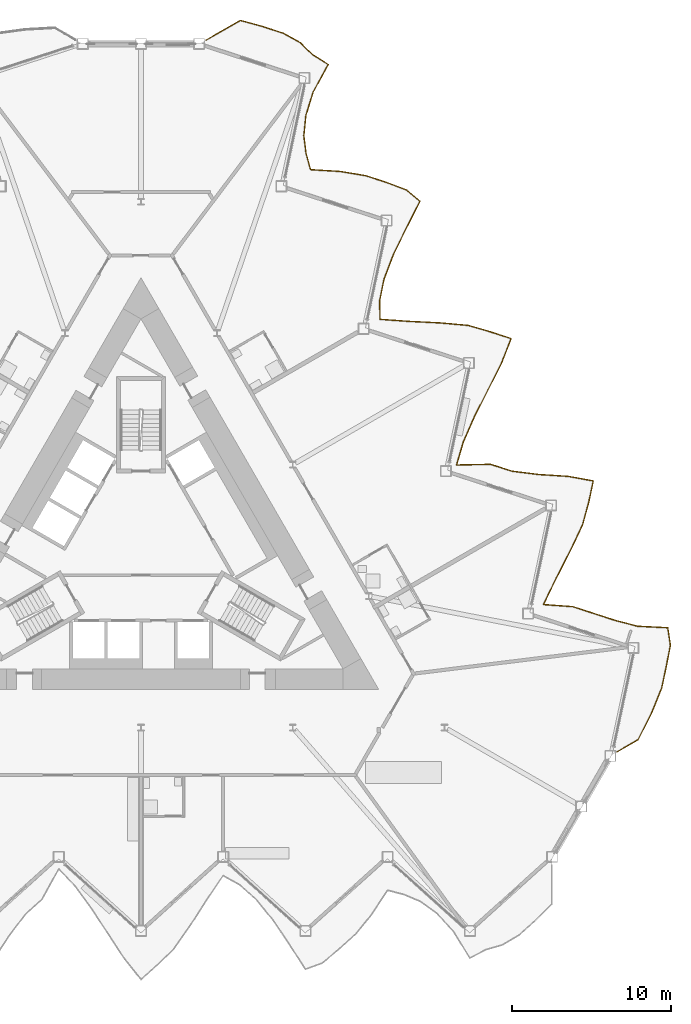
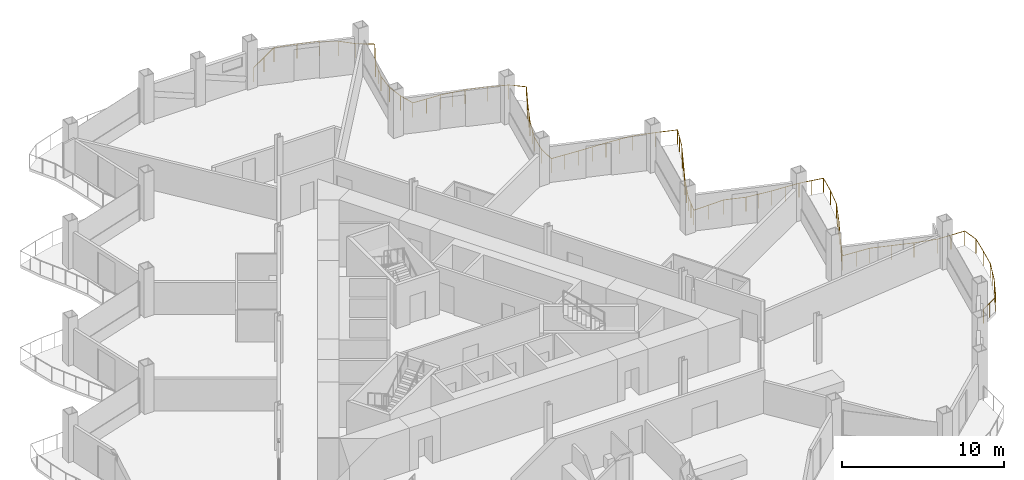
# One storey, part 22 of 24: 1 railing.
"""IFC4 building model written with IfcOpenShell, lengths in metres."""

from ifc_helpers import new_model, si_unit, direction, frame, origin, origin_2d, place, context, subcontext, project, spatial, circle, extrude, material, type_object, element, save


model = new_model("IFC4")

# Units and contexts
model_context = context("Model", 3, precision=1e-05, world=origin(), true_north=direction((0.0, 1.0)))
body_context = subcontext(model_context, "Body", "Model", "MODEL_VIEW")
ifc_project = project(units=[si_unit("LENGTHUNIT", "METRE"), si_unit("AREAUNIT", "SQUARE_METRE"), si_unit("VOLUMEUNIT", "CUBIC_METRE"), si_unit("PLANEANGLEUNIT", "RADIAN"), si_unit("MASSUNIT", "GRAM", prefix="KILO")], contexts=[model_context])

# Site, building, storey
site_placement = place(None, origin())
site = spatial("IfcSite", under=ifc_project, at=site_placement, CompositionType="ELEMENT")
building_placement = place(site_placement, origin())
building = spatial("IfcBuilding", under=site, at=building_placement, Name="Cormorant Prow Tower", CompositionType="ELEMENT")
storey_placement = place(building_placement, frame((0.0, 0.0, 270.60009765625)))
storey = spatial("IfcBuildingStorey", under=building, at=storey_placement, Name="L61", CompositionType="ELEMENT", Elevation=270.60009765625)

# Railing
ifc_material = material(Name="Aluminium 6063-T6", Category="aluminium")
railing_type = type_object("IfcRailingType", Name="Balcony guard 1100", PredefinedType="GUARDRAIL", material=ifc_material)
railing_placement = place(storey_placement, frame((30.046630859375, -12.58935546875, 0.0)))
element("IfcRailing", 1, at=railing_placement, inside=storey, type_object=railing_type, Name="Balcony guard ENE", PredefinedType="GUARDRAIL", context=body_context, shape_type="SweptSolid", body=[
    extrude(circle(Radius=0.02392578125, at=origin_2d()), frame((0.0, 0.0, 1.076171875), z_axis=(0.866030456496, 0.499991248344, 0.0), x_axis=(-0.499991248344, 0.866030456496, 0.0)), (0.0, 0.0, 1.0), 1.52001953125),
    extrude(circle(Radius=0.02392578125, at=origin_2d()), frame((1.31640625, 0.760009765625, 1.076171875), z_axis=(0.451024999431, 0.892511316392, 0.0), x_axis=(-0.892511316392, 0.451024999431, 0.0)), (0.0, 0.0, 1.0), 1.89404296875),
    extrude(circle(Radius=0.02392578125, at=origin_2d()), frame((2.170654296875, 2.450439453125, 1.076171875), z_axis=(0.376346021681, 0.926479180535, 0.0), x_axis=(-0.926479180535, 0.376346021681, 0.0)), (0.0, 0.0, 1.0), 1.688720703125),
    extrude(circle(Radius=0.02392578125, at=origin_2d()), frame((2.80615234375, 4.014892578125, 1.076171875), z_axis=(0.207844108816, 0.978161963292, 0.0), x_axis=(-0.978161963292, 0.207844108816, 0.0)), (0.0, 0.0, 1.0), 1.3955078125),
    extrude(circle(Radius=0.02392578125, at=origin_2d()), frame((3.09619140625, 5.3798828125, 1.076171875), z_axis=(0.190027433762, 0.981778780794, 0.0), x_axis=(-0.981778780794, 0.190027433762, 0.0)), (0.0, 0.0, 1.0), 1.37353515625),
    extrude(circle(Radius=0.02392578125, at=origin_2d()), frame((3.357177734375, 6.728271484375, 1.076171875), z_axis=(-0.149980753791, 0.98868891644, 0.0), x_axis=(-0.98868891644, -0.149980753791, 0.0)), (0.0, 0.0, 1.0), 1.113525390625),
    extrude(circle(Radius=0.02392578125, at=origin_2d()), frame((3.190185546875, 7.8291015625, 1.076171875), z_axis=(-0.998738278626, 0.050218032689, 0.0), x_axis=(-0.050218032689, -0.998738278626, 0.0)), (0.0, 0.0, 1.0), 1.91064453125),
    extrude(circle(Radius=0.02392578125, at=origin_2d()), frame((1.281982421875, 7.925048828125, 1.076171875), z_axis=(-0.967692726207, 0.252132480346, 0.0), x_axis=(-0.252132480346, -0.967692726207, 0.0)), (0.0, 0.0, 1.0), 1.4765625),
    extrude(circle(Radius=0.02392578125, at=origin_2d()), frame((-0.14697265625, 8.29736328125, 1.076171875), z_axis=(-0.951070062621, 0.308975299961, 0.0), x_axis=(-0.308975299961, -0.951070062621, 0.0)), (0.0, 0.0, 1.0), 1.3955078125),
    extrude(circle(Radius=0.02392578125, at=origin_2d()), frame((-1.47412109375, 8.728515625, 1.076171875), z_axis=(-0.951035354166, 0.309082117125, 0.0), x_axis=(-0.309082117125, -0.951035354166, 0.0)), (0.0, 0.0, 1.0), 1.395751953125),
    extrude(circle(Radius=0.02392578125, at=origin_2d()), frame((-2.801513671875, 9.159912109375, 1.076171875), z_axis=(-0.997478747507, 0.070965824671, 0.0), x_axis=(-0.070965824671, -0.997478747507, 0.0)), (0.0, 0.0, 1.0), 1.850830078125),
    extrude(circle(Radius=0.02392578125, at=origin_2d()), frame((-4.647705078125, 9.291259765625, 1.076171875), z_axis=(0.432972845595, 0.901406964127, 0.0), x_axis=(-0.901406964127, 0.432972845595, 0.0)), (0.0, 0.0, 1.0), 1.838134765625),
    extrude(circle(Radius=0.02392578125, at=origin_2d()), frame((-3.851806640625, 10.9482421875, 1.076171875), z_axis=(0.457281759661, 0.889321872148, 0.0), x_axis=(-0.889321872148, 0.457281759661, 0.0)), (0.0, 0.0, 1.0), 1.9150390625),
    extrude(circle(Radius=0.02392578125, at=origin_2d()), frame((-2.97607421875, 12.6513671875, 1.076171875), z_axis=(0.429274822442, 0.903173918366, 0.0), x_axis=(-0.903173918366, 0.429274822442, 0.0)), (0.0, 0.0, 1.0), 1.827392578125),
    extrude(circle(Radius=0.02392578125, at=origin_2d()), frame((-2.191650390625, 14.3017578125, 1.076171875), z_axis=(0.265870752912, 0.964008683958, 0.0), x_axis=(-0.964008683958, 0.265870752912, 0.0)), (0.0, 0.0, 1.0), 1.4775390625),
    extrude(circle(Radius=0.02392578125, at=origin_2d()), frame((-1.798828125, 15.72607421875, 1.076171875), z_axis=(0.207844108816, 0.978161963292, 0.0), x_axis=(-0.978161963292, 0.207844108816, 0.0)), (0.0, 0.0, 1.0), 1.3955078125),
    extrude(circle(Radius=0.02392578125, at=origin_2d()), frame((-1.5087890625, 17.091064453125, 1.076171875), z_axis=(-0.983742826583, 0.179582992362, 0.0), x_axis=(-0.179582992362, -0.983742826583, 0.0)), (0.0, 0.0, 1.0), 1.6015625),
    extrude(circle(Radius=0.02392578125, at=origin_2d()), frame((-3.084228515625, 17.378662109375, 1.076171875), z_axis=(-0.998027667687, 0.06277558865, 0.0), x_axis=(-0.06277558865, -0.998027667687, 0.0)), (0.0, 0.0, 1.0), 1.87451171875),
    extrude(circle(Radius=0.02392578125, at=origin_2d()), frame((-4.955078125, 17.496337890625, 1.076171875), z_axis=(-0.992253804212, 0.124227162997, 0.0), x_axis=(-0.124227162997, -0.992253804212, 0.0)), (0.0, 0.0, 1.0), 1.717529296875),
    extrude(circle(Radius=0.02392578125, at=origin_2d()), frame((-6.659423828125, 17.709716796875, 1.076171875), z_axis=(-0.951070062621, 0.308975299961, 0.0), x_axis=(-0.308975299961, -0.951070062621, 0.0)), (0.0, 0.0, 1.0), 1.3955078125),
    extrude(circle(Radius=0.02392578125, at=origin_2d()), frame((-7.986572265625, 18.140869140625, 1.076171875), z_axis=(-0.999795630795, -0.020216246993, 0.0), x_axis=(0.020216246993, -0.999795630795, 0.0)), (0.0, 0.0, 1.0), 2.149658203125),
    extrude(circle(Radius=0.02392578125, at=origin_2d()), frame((-10.1357421875, 18.097412109375, 1.076171875), z_axis=(0.284314471626, 0.958731078679, 0.0), x_axis=(-0.958731078679, 0.284314471626, 0.0)), (0.0, 0.0, 1.0), 1.507080078125),
    extrude(circle(Radius=0.02392578125, at=origin_2d()), frame((-9.707275390625, 19.542236328125, 1.076171875), z_axis=(0.402192314467, 0.915555209795, 0.0), x_axis=(-0.915555209795, 0.402192314467, 0.0)), (0.0, 0.0, 1.0), 1.75244140625),
    extrude(circle(Radius=0.02392578125, at=origin_2d()), frame((-9.00244140625, 21.146728515625, 1.076171875), z_axis=(0.452552432626, 0.891737795388, 0.0), x_axis=(-0.891737795388, 0.452552432626, 0.0)), (0.0, 0.0, 1.0), 1.8994140625),
    extrude(circle(Radius=0.02392578125, at=origin_2d()), frame((-8.142822265625, 22.840576171875, 1.076171875), z_axis=(0.449074611591, 0.89349426032, 0.0), x_axis=(-0.89349426032, 0.449074611591, 0.0)), (0.0, 0.0, 1.0), 1.88818359375),
    extrude(circle(Radius=0.02392578125, at=origin_2d()), frame((-7.294921875, 24.527587890625, 1.076171875), z_axis=(0.362560008596, 0.931960428434, 0.0), x_axis=(-0.931960428434, 0.362560008596, 0.0)), (0.0, 0.0, 1.0), 1.6572265625),
    extrude(circle(Radius=0.02392578125, at=origin_2d()), frame((-6.694091796875, 26.072021484375, 1.076171875), z_axis=(-0.951070062621, 0.308975299961, 0.0), x_axis=(-0.308975299961, -0.951070062621, 0.0)), (0.0, 0.0, 1.0), 1.3955078125),
    extrude(circle(Radius=0.02392578125, at=origin_2d()), frame((-8.021240234375, 26.503173828125, 1.076171875), z_axis=(-0.960413687955, 0.278577723425, 0.0), x_axis=(-0.278577723425, -0.960413687955, 0.0)), (0.0, 0.0, 1.0), 1.437255859375),
    extrude(circle(Radius=0.02392578125, at=origin_2d()), frame((-9.401611328125, 26.903564453125, 1.076171875), z_axis=(-0.996079530076, 0.088462250498, 0.0), x_axis=(-0.088462250498, -0.996079530076, 0.0)), (0.0, 0.0, 1.0), 1.804931640625),
    extrude(circle(Radius=0.02392578125, at=origin_2d()), frame((-11.199462890625, 27.063232421875, 1.076171875), z_axis=(-0.998786156667, 0.049256606168, 0.0), x_axis=(-0.049256606168, -0.998786156667, 0.0)), (0.0, 0.0, 1.0), 1.913330078125),
    extrude(circle(Radius=0.02392578125, at=origin_2d()), frame((-13.1103515625, 27.157470703125, 1.076171875), z_axis=(-0.997624100724, 0.068892333787, 0.0), x_axis=(-0.068892333787, -0.997624100724, 0.0)), (0.0, 0.0, 1.0), 1.85693359375),
    extrude(circle(Radius=0.02392578125, at=origin_2d()), frame((-14.962890625, 27.285400390625, 1.076171875), z_axis=(-0.019794017655, 0.99980407924, 0.0), x_axis=(-0.99980407924, -0.019794017655, 0.0)), (0.0, 0.0, 1.0), 1.18408203125),
    extrude(circle(Radius=0.02392578125, at=origin_2d()), frame((-14.986328125, 28.46923828125, 1.076171875), z_axis=(0.202099562441, 0.979364981435, 0.0), x_axis=(-0.979364981435, 0.202099562441, 0.0)), (0.0, 0.0, 1.0), 1.387939453125),
    extrude(circle(Radius=0.02392578125, at=origin_2d()), frame((-14.705810546875, 29.82861328125, 1.076171875), z_axis=(0.356859384014, 0.934158112977, 0.0), x_axis=(-0.934158112977, 0.356859384014, 0.0)), (0.0, 0.0, 1.0), 1.644775390625),
    extrude(circle(Radius=0.02392578125, at=origin_2d()), frame((-14.118896484375, 31.364990234375, 1.076171875), z_axis=(0.436351272563, 0.899776398297, 0.0), x_axis=(-0.899776398297, 0.436351272563, 0.0)), (0.0, 0.0, 1.0), 1.8486328125),
    extrude(circle(Radius=0.02392578125, at=origin_2d()), frame((-13.312255859375, 33.0283203125, 1.076171875), z_axis=(0.457082879064, 0.889424106749, 0.0), x_axis=(-0.889424106749, 0.457082879064, 0.0)), (0.0, 0.0, 1.0), 1.914306640625),
    extrude(circle(Radius=0.02392578125, at=origin_2d()), frame((-12.437255859375, 34.73095703125, 1.076171875), z_axis=(-0.765839980517, 0.643031200053, 0.0), x_axis=(-0.643031200053, -0.765839980517, 0.0)), (0.0, 0.0, 1.0), 1.103271484375),
    extrude(circle(Radius=0.02392578125, at=origin_2d()), frame((-13.2822265625, 35.4404296875, 1.076171875), z_axis=(-0.934874406595, 0.354978652729, 0.0), x_axis=(-0.354978652729, -0.934874406595, 0.0)), (0.0, 0.0, 1.0), 1.33837890625),
    extrude(circle(Radius=0.02392578125, at=origin_2d()), frame((-14.533447265625, 35.91552734375, 1.076171875), z_axis=(-0.951086760919, 0.308923895491, 0.0), x_axis=(-0.308923895491, -0.951086760919, 0.0)), (0.0, 0.0, 1.0), 1.395751953125),
    extrude(circle(Radius=0.02392578125, at=origin_2d()), frame((-15.86083984375, 36.3466796875, 1.076171875), z_axis=(-0.98629664185, 0.16498161799, 0.0), x_axis=(-0.16498161799, -0.98629664185, 0.0)), (0.0, 0.0, 1.0), 1.630859375),
    extrude(circle(Radius=0.02392578125, at=origin_2d()), frame((-17.46923828125, 36.61572265625, 1.076171875), z_axis=(-0.998202052098, 0.059938828707, 0.0), x_axis=(-0.059938828707, -0.998202052098, 0.0)), (0.0, 0.0, 1.0), 1.8818359375),
    extrude(circle(Radius=0.02392578125, at=origin_2d()), frame((-19.34765625, 36.728515625, 1.076171875), z_axis=(-0.264658839828, 0.964342106568, 0.0), x_axis=(-0.964342106568, -0.264658839828, 0.0)), (0.0, 0.0, 1.0), 1.072021484375),
    extrude(circle(Radius=0.02392578125, at=origin_2d()), frame((-19.63134765625, 37.76220703125, 1.076171875), z_axis=(-0.122700558253, 0.992443737954, 0.0), x_axis=(-0.992443737954, -0.122700558253, 0.0)), (0.0, 0.0, 1.0), 1.126220703125),
    extrude(circle(Radius=0.02392578125, at=origin_2d()), frame((-19.76953125, 38.8798828125, 1.076171875), z_axis=(0.103861376062, 0.994591782875, 0.0), x_axis=(-0.994591782875, 0.103861376062, 0.0)), (0.0, 0.0, 1.0), 1.281005859375),
    extrude(circle(Radius=0.02392578125, at=origin_2d()), frame((-19.636474609375, 40.154052734375, 1.076171875), z_axis=(0.295019338677, 0.95549128191, 0.0), x_axis=(-0.95549128191, 0.295019338677, 0.0)), (0.0, 0.0, 1.0), 1.525146484375),
    extrude(circle(Radius=0.02392578125, at=origin_2d()), frame((-19.1865234375, 41.611328125, 1.076171875), z_axis=(0.478671672802, 0.877993980422, 0.0), x_axis=(-0.877993980422, 0.478671672802, 0.0)), (0.0, 0.0, 1.0), 1.99072265625),
    extrude(circle(Radius=0.02392578125, at=origin_2d()), frame((-18.233642578125, 43.359130859375, 1.076171875), z_axis=(-0.843248495511, 0.537523929531, 0.0), x_axis=(-0.537523929531, -0.843248495511, 0.0)), (0.0, 0.0, 1.0), 1.169189453125),
    extrude(circle(Radius=0.02392578125, at=origin_2d()), frame((-19.219482421875, 43.987548828125, 1.076171875), z_axis=(-0.719775647165, 0.694206754323, 0.0), x_axis=(-0.694206754323, -0.719775647165, 0.0)), (0.0, 0.0, 1.0), 1.078857421875),
    extrude(circle(Radius=0.02392578125, at=origin_2d()), frame((-19.99609375, 44.736572265625, 1.076171875), z_axis=(-0.871380638872, 0.490607564351, 0.0), x_axis=(-0.490607564351, -0.871380638872, 0.0)), (0.0, 0.0, 1.0), 1.204833984375),
    extrude(circle(Radius=0.02392578125, at=origin_2d()), frame((-21.0458984375, 45.32763671875, 1.076171875), z_axis=(-0.951018639663, 0.309133542363, 0.0), x_axis=(-0.309133542363, -0.951018639663, 0.0)), (0.0, 0.0, 1.0), 1.3955078125),
    extrude(circle(Radius=0.02392578125, at=origin_2d()), frame((-22.373046875, 45.759033203125, 1.076171875), z_axis=(-0.964376412333, 0.26453380755, 0.0), x_axis=(-0.26453380755, -0.964376412333, 0.0)), (0.0, 0.0, 1.0), 1.458251953125),
    extrude(circle(Radius=0.02392578125, at=origin_2d()), frame((-23.779296875, 46.144775390625, 1.076171875), z_axis=(-0.866010089634, -0.500026523948, 0.0), x_axis=(0.500026523948, -0.866010089634, 0.0)), (0.0, 0.0, 1.0), 2.478759765625),
    extrude(circle(Radius=0.02099609375, at=origin_2d()), origin(), (0.0, 0.0, 1.0), 1.052001953125),
    extrude(circle(Radius=0.02099609375, at=origin_2d()), frame((0.658203125, 0.3798828125, 0.0)), (0.0, 0.0, 1.0), 1.052001953125),
    extrude(circle(Radius=0.02099609375, at=origin_2d()), frame((1.31640625, 0.760009765625, 0.0)), (0.0, 0.0, 1.0), 1.052001953125),
    extrude(circle(Radius=0.02099609375, at=origin_2d()), frame((1.74365234375, 1.605224609375, 0.0)), (0.0, 0.0, 1.0), 1.052001953125),
    extrude(circle(Radius=0.02099609375, at=origin_2d()), frame((2.170654296875, 2.450439453125, 0.0)), (0.0, 0.0, 1.0), 1.052001953125),
    extrude(circle(Radius=0.02099609375, at=origin_2d()), frame((2.48828125, 3.232666015625, 0.0)), (0.0, 0.0, 1.0), 1.052001953125),
    extrude(circle(Radius=0.02099609375, at=origin_2d()), frame((2.80615234375, 4.014892578125, 0.0)), (0.0, 0.0, 1.0), 1.052001953125),
    extrude(circle(Radius=0.02099609375, at=origin_2d()), frame((3.09619140625, 5.3798828125, 0.0)), (0.0, 0.0, 1.0), 1.052001953125),
    extrude(circle(Radius=0.02099609375, at=origin_2d()), frame((3.357177734375, 6.728271484375, 0.0)), (0.0, 0.0, 1.0), 1.052001953125),
    extrude(circle(Radius=0.02099609375, at=origin_2d()), frame((3.190185546875, 7.8291015625, 0.0)), (0.0, 0.0, 1.0), 1.052001953125),
    extrude(circle(Radius=0.02099609375, at=origin_2d()), frame((2.236083984375, 7.876953125, 0.0)), (0.0, 0.0, 1.0), 1.052001953125),
    extrude(circle(Radius=0.02099609375, at=origin_2d()), frame((1.281982421875, 7.925048828125, 0.0)), (0.0, 0.0, 1.0), 1.052001953125),
    extrude(circle(Radius=0.02099609375, at=origin_2d()), frame((-0.14697265625, 8.29736328125, 0.0)), (0.0, 0.0, 1.0), 1.052001953125),
    extrude(circle(Radius=0.02099609375, at=origin_2d()), frame((-1.47412109375, 8.728515625, 0.0)), (0.0, 0.0, 1.0), 1.052001953125),
    extrude(circle(Radius=0.02099609375, at=origin_2d()), frame((-2.801513671875, 9.159912109375, 0.0)), (0.0, 0.0, 1.0), 1.052001953125),
    extrude(circle(Radius=0.02099609375, at=origin_2d()), frame((-3.724609375, 9.2255859375, 0.0)), (0.0, 0.0, 1.0), 1.052001953125),
    extrude(circle(Radius=0.02099609375, at=origin_2d()), frame((-4.647705078125, 9.291259765625, 0.0)), (0.0, 0.0, 1.0), 1.052001953125),
    extrude(circle(Radius=0.02099609375, at=origin_2d()), frame((-4.249755859375, 10.11962890625, 0.0)), (0.0, 0.0, 1.0), 1.052001953125),
    extrude(circle(Radius=0.02099609375, at=origin_2d()), frame((-3.851806640625, 10.9482421875, 0.0)), (0.0, 0.0, 1.0), 1.052001953125),
    extrude(circle(Radius=0.02099609375, at=origin_2d()), frame((-3.4140625, 11.7998046875, 0.0)), (0.0, 0.0, 1.0), 1.052001953125),
    extrude(circle(Radius=0.02099609375, at=origin_2d()), frame((-2.97607421875, 12.6513671875, 0.0)), (0.0, 0.0, 1.0), 1.052001953125),
    extrude(circle(Radius=0.02099609375, at=origin_2d()), frame((-2.583984375, 13.4765625, 0.0)), (0.0, 0.0, 1.0), 1.052001953125),
    extrude(circle(Radius=0.02099609375, at=origin_2d()), frame((-2.191650390625, 14.3017578125, 0.0)), (0.0, 0.0, 1.0), 1.052001953125),
    extrude(circle(Radius=0.02099609375, at=origin_2d()), frame((-1.798828125, 15.72607421875, 0.0)), (0.0, 0.0, 1.0), 1.052001953125),
    extrude(circle(Radius=0.02099609375, at=origin_2d()), frame((-1.5087890625, 17.091064453125, 0.0)), (0.0, 0.0, 1.0), 1.052001953125),
    extrude(circle(Radius=0.02099609375, at=origin_2d()), frame((-2.29638671875, 17.23486328125, 0.0)), (0.0, 0.0, 1.0), 1.052001953125),
    extrude(circle(Radius=0.02099609375, at=origin_2d()), frame((-3.084228515625, 17.378662109375, 0.0)), (0.0, 0.0, 1.0), 1.052001953125),
    extrude(circle(Radius=0.02099609375, at=origin_2d()), frame((-4.01953125, 17.4375, 0.0)), (0.0, 0.0, 1.0), 1.052001953125),
    extrude(circle(Radius=0.02099609375, at=origin_2d()), frame((-4.955078125, 17.496337890625, 0.0)), (0.0, 0.0, 1.0), 1.052001953125),
    extrude(circle(Radius=0.02099609375, at=origin_2d()), frame((-5.80712890625, 17.60302734375, 0.0)), (0.0, 0.0, 1.0), 1.052001953125),
    extrude(circle(Radius=0.02099609375, at=origin_2d()), frame((-6.659423828125, 17.709716796875, 0.0)), (0.0, 0.0, 1.0), 1.052001953125),
    extrude(circle(Radius=0.02099609375, at=origin_2d()), frame((-7.986572265625, 18.140869140625, 0.0)), (0.0, 0.0, 1.0), 1.052001953125),
    extrude(circle(Radius=0.02099609375, at=origin_2d()), frame((-9.06103515625, 18.119140625, 0.0)), (0.0, 0.0, 1.0), 1.052001953125),
    extrude(circle(Radius=0.02099609375, at=origin_2d()), frame((-10.1357421875, 18.097412109375, 0.0)), (0.0, 0.0, 1.0), 1.052001953125),
    extrude(circle(Radius=0.02099609375, at=origin_2d()), frame((-9.92138671875, 18.81982421875, 0.0)), (0.0, 0.0, 1.0), 1.052001953125),
    extrude(circle(Radius=0.02099609375, at=origin_2d()), frame((-9.707275390625, 19.542236328125, 0.0)), (0.0, 0.0, 1.0), 1.052001953125),
    extrude(circle(Radius=0.02099609375, at=origin_2d()), frame((-9.35498046875, 20.344482421875, 0.0)), (0.0, 0.0, 1.0), 1.052001953125),
    extrude(circle(Radius=0.02099609375, at=origin_2d()), frame((-9.00244140625, 21.146728515625, 0.0)), (0.0, 0.0, 1.0), 1.052001953125),
    extrude(circle(Radius=0.02099609375, at=origin_2d()), frame((-8.57275390625, 21.99365234375, 0.0)), (0.0, 0.0, 1.0), 1.052001953125),
    extrude(circle(Radius=0.02099609375, at=origin_2d()), frame((-8.142822265625, 22.840576171875, 0.0)), (0.0, 0.0, 1.0), 1.052001953125),
    extrude(circle(Radius=0.02099609375, at=origin_2d()), frame((-7.71875, 23.68408203125, 0.0)), (0.0, 0.0, 1.0), 1.052001953125),
    extrude(circle(Radius=0.02099609375, at=origin_2d()), frame((-7.294921875, 24.527587890625, 0.0)), (0.0, 0.0, 1.0), 1.052001953125),
    extrude(circle(Radius=0.02099609375, at=origin_2d()), frame((-6.99462890625, 25.2998046875, 0.0)), (0.0, 0.0, 1.0), 1.052001953125),
    extrude(circle(Radius=0.02099609375, at=origin_2d()), frame((-6.694091796875, 26.072021484375, 0.0)), (0.0, 0.0, 1.0), 1.052001953125),
    extrude(circle(Radius=0.02099609375, at=origin_2d()), frame((-8.021240234375, 26.503173828125, 0.0)), (0.0, 0.0, 1.0), 1.052001953125),
    extrude(circle(Radius=0.02099609375, at=origin_2d()), frame((-9.401611328125, 26.903564453125, 0.0)), (0.0, 0.0, 1.0), 1.052001953125),
    extrude(circle(Radius=0.02099609375, at=origin_2d()), frame((-10.300537109375, 26.9833984375, 0.0)), (0.0, 0.0, 1.0), 1.052001953125),
    extrude(circle(Radius=0.02099609375, at=origin_2d()), frame((-11.199462890625, 27.063232421875, 0.0)), (0.0, 0.0, 1.0), 1.052001953125),
    extrude(circle(Radius=0.02099609375, at=origin_2d()), frame((-12.15478515625, 27.1103515625, 0.0)), (0.0, 0.0, 1.0), 1.052001953125),
    extrude(circle(Radius=0.02099609375, at=origin_2d()), frame((-13.1103515625, 27.157470703125, 0.0)), (0.0, 0.0, 1.0), 1.052001953125),
    extrude(circle(Radius=0.02099609375, at=origin_2d()), frame((-14.03662109375, 27.221435546875, 0.0)), (0.0, 0.0, 1.0), 1.052001953125),
    extrude(circle(Radius=0.02099609375, at=origin_2d()), frame((-14.962890625, 27.285400390625, 0.0)), (0.0, 0.0, 1.0), 1.052001953125),
    extrude(circle(Radius=0.02099609375, at=origin_2d()), frame((-14.986328125, 28.46923828125, 0.0)), (0.0, 0.0, 1.0), 1.052001953125),
    extrude(circle(Radius=0.02099609375, at=origin_2d()), frame((-14.705810546875, 29.82861328125, 0.0)), (0.0, 0.0, 1.0), 1.052001953125),
    extrude(circle(Radius=0.02099609375, at=origin_2d()), frame((-14.412353515625, 30.5966796875, 0.0)), (0.0, 0.0, 1.0), 1.052001953125),
    extrude(circle(Radius=0.02099609375, at=origin_2d()), frame((-14.118896484375, 31.364990234375, 0.0)), (0.0, 0.0, 1.0), 1.052001953125),
    extrude(circle(Radius=0.02099609375, at=origin_2d()), frame((-13.715576171875, 32.19677734375, 0.0)), (0.0, 0.0, 1.0), 1.052001953125),
    extrude(circle(Radius=0.02099609375, at=origin_2d()), frame((-13.312255859375, 33.0283203125, 0.0)), (0.0, 0.0, 1.0), 1.052001953125),
    extrude(circle(Radius=0.02099609375, at=origin_2d()), frame((-12.874755859375, 33.879638671875, 0.0)), (0.0, 0.0, 1.0), 1.052001953125),
    extrude(circle(Radius=0.02099609375, at=origin_2d()), frame((-12.437255859375, 34.73095703125, 0.0)), (0.0, 0.0, 1.0), 1.052001953125),
    extrude(circle(Radius=0.02099609375, at=origin_2d()), frame((-13.2822265625, 35.4404296875, 0.0)), (0.0, 0.0, 1.0), 1.052001953125),
    extrude(circle(Radius=0.02099609375, at=origin_2d()), frame((-14.533447265625, 35.91552734375, 0.0)), (0.0, 0.0, 1.0), 1.052001953125),
    extrude(circle(Radius=0.02099609375, at=origin_2d()), frame((-15.86083984375, 36.3466796875, 0.0)), (0.0, 0.0, 1.0), 1.052001953125),
    extrude(circle(Radius=0.02099609375, at=origin_2d()), frame((-16.6650390625, 36.481201171875, 0.0)), (0.0, 0.0, 1.0), 1.052001953125),
    extrude(circle(Radius=0.02099609375, at=origin_2d()), frame((-17.46923828125, 36.61572265625, 0.0)), (0.0, 0.0, 1.0), 1.052001953125),
    extrude(circle(Radius=0.02099609375, at=origin_2d()), frame((-18.408447265625, 36.672119140625, 0.0)), (0.0, 0.0, 1.0), 1.052001953125),
    extrude(circle(Radius=0.02099609375, at=origin_2d()), frame((-19.34765625, 36.728515625, 0.0)), (0.0, 0.0, 1.0), 1.052001953125),
    extrude(circle(Radius=0.02099609375, at=origin_2d()), frame((-19.63134765625, 37.76220703125, 0.0)), (0.0, 0.0, 1.0), 1.052001953125),
    extrude(circle(Radius=0.02099609375, at=origin_2d()), frame((-19.76953125, 38.8798828125, 0.0)), (0.0, 0.0, 1.0), 1.052001953125),
    extrude(circle(Radius=0.02099609375, at=origin_2d()), frame((-19.636474609375, 40.154052734375, 0.0)), (0.0, 0.0, 1.0), 1.052001953125),
    extrude(circle(Radius=0.02099609375, at=origin_2d()), frame((-19.41162109375, 40.8828125, 0.0)), (0.0, 0.0, 1.0), 1.052001953125),
    extrude(circle(Radius=0.02099609375, at=origin_2d()), frame((-19.1865234375, 41.611328125, 0.0)), (0.0, 0.0, 1.0), 1.052001953125),
    extrude(circle(Radius=0.02099609375, at=origin_2d()), frame((-18.7099609375, 42.4853515625, 0.0)), (0.0, 0.0, 1.0), 1.052001953125),
    extrude(circle(Radius=0.02099609375, at=origin_2d()), frame((-18.233642578125, 43.359130859375, 0.0)), (0.0, 0.0, 1.0), 1.052001953125),
    extrude(circle(Radius=0.02099609375, at=origin_2d()), frame((-19.219482421875, 43.987548828125, 0.0)), (0.0, 0.0, 1.0), 1.052001953125),
    extrude(circle(Radius=0.02099609375, at=origin_2d()), frame((-19.99609375, 44.736572265625, 0.0)), (0.0, 0.0, 1.0), 1.052001953125),
    extrude(circle(Radius=0.02099609375, at=origin_2d()), frame((-21.0458984375, 45.32763671875, 0.0)), (0.0, 0.0, 1.0), 1.052001953125),
    extrude(circle(Radius=0.02099609375, at=origin_2d()), frame((-22.373046875, 45.759033203125, 0.0)), (0.0, 0.0, 1.0), 1.052001953125),
    extrude(circle(Radius=0.02099609375, at=origin_2d()), frame((-23.779296875, 46.144775390625, 0.0)), (0.0, 0.0, 1.0), 1.052001953125),
    extrude(circle(Radius=0.02099609375, at=origin_2d()), frame((-24.8525390625, 45.52490234375, 0.0)), (0.0, 0.0, 1.0), 1.052001953125),
    extrude(circle(Radius=0.02099609375, at=origin_2d()), frame((-25.926025390625, 44.9052734375, 0.0)), (0.0, 0.0, 1.0), 1.052001953125),
])

save(model, "model.ifc")
